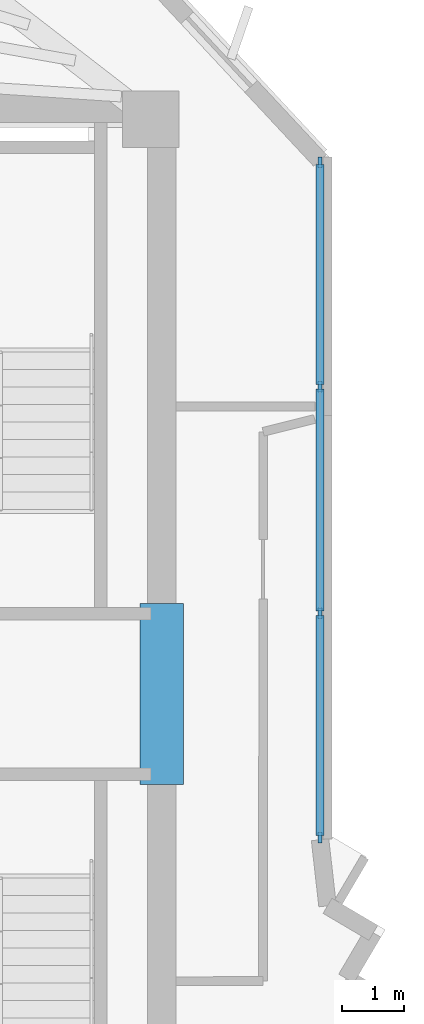
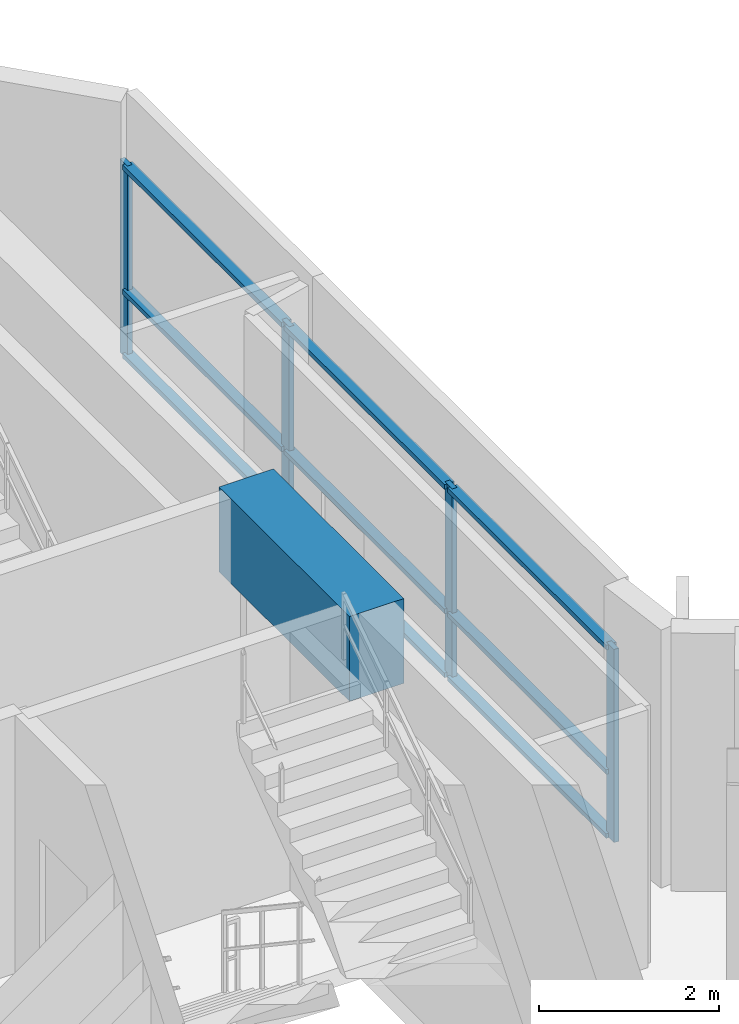
# One storey, part 2 of 10: 13 members, 1 beam, 1 element without a shape of its own.
"""IFC4 building model written with IfcOpenShell, lengths in metres."""

from ifc_helpers import new_model, si_unit, direction, frame, origin, origin_2d, place, context, subcontext, project, spatial, rectangle, extrude, source, transform, mapped, material, layer, layer_set, material_profile, profile_set, type_object, element, aggregate, save


model = new_model("IFC4")

# Units and contexts
model_context = context("Model", 3, precision=1e-05, world=origin(), true_north=direction((0.0, 1.0)))
body_context = subcontext(model_context, "Body", "Model", "MODEL_VIEW")
ifc_project = project(units=[si_unit("LENGTHUNIT", "METRE"), si_unit("AREAUNIT", "SQUARE_METRE"), si_unit("VOLUMEUNIT", "CUBIC_METRE"), si_unit("PLANEANGLEUNIT", "RADIAN"), si_unit("MASSUNIT", "GRAM", prefix="KILO")], contexts=[model_context])

# Site, building, storey
site_placement = place(None, origin())
site = spatial("IfcSite", under=ifc_project, at=site_placement, CompositionType="ELEMENT")
building_placement = place(site_placement, origin())
building = spatial("IfcBuilding", under=site, at=building_placement, Name="Zahravan Cultural Tower", CompositionType="ELEMENT")
storey_placement = place(building_placement, frame((0.0, 0.0, 349.800048828125)))
storey = spatial("IfcBuildingStorey", under=building, at=storey_placement, Name="L85", CompositionType="ELEMENT", Elevation=349.800048828125)

# Beam
ifc_material_1 = material(Name="Concrete C50/60", Category="concrete")
ifc_material_profile_1 = material_profile(ifc_material_1, rectangle(XDim=0.699951171875, YDim=1.14990234375, at=origin_2d()), Name="RC700X1150")
ifc_profile_set_1 = profile_set([ifc_material_profile_1], Name="Concrete C50/60")
beam_type = type_object("IfcBeamType", Name="BM-LN-RC700X1150", PredefinedType="LINTEL", material=ifc_profile_set_1)
shared_shape_1 = source(origin(), body_context, "Body", "SweptSolid", [
    extrude(rectangle(XDim=0.699951171875, YDim=1.14990234375, at=origin_2d()), origin(), (0.0, 0.0, 1.0), 2.89990234375),
])
beam_placement = place(storey_placement, frame((50.52490234375, 25.550048828125, 2.925048828125), z_axis=(0.0, 1.0, 0.0), x_axis=(-1.0, 0.0, 0.0)))
element("IfcBeam", 1, at=beam_placement, inside=storey, type_object=beam_type, Name="L85 Beam LN-L85-PEE", PredefinedType="LINTEL", context=body_context, shape_type="MappedRepresentation", body=[
    mapped(shared_shape_1, transform((0.0, 0.0, 0.0), x_axis=(1.0, 0.0, 0.0), y_axis=(0.0, 1.0, 0.0), z_axis=(0.0, 0.0, 1.0), scale=1.0)),
])

# Curtain wall, members
ifc_material_2 = material(Name="Anodised bronze-aluminium mullion", Category="aluminium")
ifc_layer = layer(ifc_material_2, 0.1650390625)
ifc_layer_set = layer_set([ifc_layer], Name="Anodised bronze-aluminium mullion")
curtain_wall_type = type_object("IfcCurtainWallType", Name="CW-SYS-4", PredefinedType="USERDEFINED", material=ifc_layer_set)
curtain_wall_placement = place(storey_placement, origin())
curtain_wall = element("IfcCurtainWall", 2, at=curtain_wall_placement, inside=storey, type_object=curtain_wall_type, Name="L85 Recessed Curtain Wall CW-4.1", ObjectType="RECESSED GLAZING", PredefinedType="USERDEFINED")
ifc_material_profile_2 = material_profile(ifc_material_2, rectangle(XDim=0.06494140625, YDim=0.1650390625, at=origin_2d()), Name="AL-M65X165")
ifc_profile_set_2 = profile_set([ifc_material_profile_2], Name="Anodised bronze-aluminium mullion")
member_type_1 = type_object("IfcMemberType", Name="CWM-CW-4", PredefinedType="MULLION", material=ifc_profile_set_2)
shared_shape_2 = source(origin(), body_context, "Body", "SweptSolid", [
    extrude(rectangle(XDim=0.06494140625, YDim=0.1650390625, at=origin_2d()), origin(), (0.0, 0.0, 1.0), 2.619873046875),
])
member_1_placement = place(storey_placement, frame((53.06005859375, 35.509521484375, 0.0), z_axis=(0.0, 0.0, 1.0), x_axis=(1.0, 0.0, 0.0)))
member_1 = element("IfcMember", 3, at=member_1_placement, type_object=member_type_1, Name="CW-4 mullion 1", PredefinedType="MULLION", context=body_context, shape_type="MappedRepresentation", body=[
    mapped(shared_shape_2, transform((0.0, 0.0, 0.0), x_axis=(1.0, 0.0, 0.0), y_axis=(0.0, 1.0, 0.0), z_axis=(0.0, 0.0, 1.0), scale=1.0)),
])
member_2_placement = place(storey_placement, frame((53.06005859375, 31.916015625, 0.0), z_axis=(0.0, 0.0, 1.0), x_axis=(1.0, 0.0, 0.0)))
member_2 = element("IfcMember", 4, at=member_2_placement, type_object=member_type_1, Name="CW-4 mullion 2", PredefinedType="MULLION", context=body_context, shape_type="MappedRepresentation", body=[
    mapped(shared_shape_2, transform((0.0, 0.0, 0.0), x_axis=(1.0, 0.0, 0.0), y_axis=(0.0, 1.0, 0.0), z_axis=(0.0, 0.0, 1.0), scale=1.0)),
])
member_3_placement = place(storey_placement, frame((53.06005859375, 28.290283203125, 0.0), z_axis=(0.0, 0.0, 1.0), x_axis=(1.0, 0.0, 0.0)))
member_3 = element("IfcMember", 5, at=member_3_placement, type_object=member_type_1, Name="CW-4 mullion 3", PredefinedType="MULLION", context=body_context, shape_type="MappedRepresentation", body=[
    mapped(shared_shape_2, transform((0.0, 0.0, 0.0), x_axis=(1.0, 0.0, 0.0), y_axis=(0.0, 1.0, 0.0), z_axis=(0.0, 0.0, 1.0), scale=1.0)),
])
member_4_placement = place(storey_placement, frame((53.06005859375, 24.697021484375, 0.0), z_axis=(0.0, 0.0, 1.0), x_axis=(1.0, 0.0, 0.0)))
member_4 = element("IfcMember", 6, at=member_4_placement, type_object=member_type_1, Name="CW-4 mullion 4", PredefinedType="MULLION", context=body_context, shape_type="MappedRepresentation", body=[
    mapped(shared_shape_2, transform((0.0, 0.0, 0.0), x_axis=(1.0, 0.0, 0.0), y_axis=(0.0, 1.0, 0.0), z_axis=(0.0, 0.0, 1.0), scale=1.0)),
])
ifc_material_profile_3 = material_profile(ifc_material_2, rectangle(XDim=0.1298828125, YDim=0.06494140625, at=origin_2d()), Name="AL-T65X130")
ifc_profile_set_3 = profile_set([ifc_material_profile_3], Name="Anodised bronze-aluminium mullion")
member_type_2 = type_object("IfcMemberType", Name="CWT-CW-4", PredefinedType="USERDEFINED", material=ifc_profile_set_3)
shared_shape_3 = source(origin(), body_context, "Body", "SweptSolid", [
    extrude(rectangle(XDim=0.1298828125, YDim=0.06494140625, at=origin_2d()), origin(), (0.0, 0.0, 1.0), 3.5283203125),
])
member_5_placement = place(storey_placement, frame((53.06005859375, 35.47705078125, 0.032470703125), z_axis=(0.0, -1.0, 0.0), x_axis=(1.0, 0.0, 0.0)))
member_5 = element("IfcMember", 7, at=member_5_placement, type_object=member_type_2, Name="CW-4 transom 1.1", ObjectType="TRANSOM", PredefinedType="USERDEFINED", context=body_context, shape_type="MappedRepresentation", body=[
    mapped(shared_shape_3, transform((0.0, 0.0, 0.0), x_axis=(1.0, 0.0, 0.0), y_axis=(0.0, 1.0, 0.0), z_axis=(0.0, 0.0, 1.0), scale=1.0)),
])
member_6_placement = place(storey_placement, frame((53.06005859375, 35.47705078125, 0.89990234375), z_axis=(0.0, -1.0, 0.0), x_axis=(1.0, 0.0, 0.0)))
member_6 = element("IfcMember", 8, at=member_6_placement, type_object=member_type_2, Name="CW-4 transom 1.2", ObjectType="TRANSOM", PredefinedType="USERDEFINED", context=body_context, shape_type="MappedRepresentation", body=[
    mapped(shared_shape_3, transform((0.0, 0.0, 0.0), x_axis=(1.0, 0.0, 0.0), y_axis=(0.0, 1.0, 0.0), z_axis=(0.0, 0.0, 1.0), scale=1.0)),
])
member_7_placement = place(storey_placement, frame((53.06005859375, 35.47705078125, 2.58740234375), z_axis=(0.0, -1.0, 0.0), x_axis=(1.0, 0.0, 0.0)))
member_7 = element("IfcMember", 9, at=member_7_placement, type_object=member_type_2, Name="CW-4 transom 1.3", ObjectType="TRANSOM", PredefinedType="USERDEFINED", context=body_context, shape_type="MappedRepresentation", body=[
    mapped(shared_shape_3, transform((0.0, 0.0, 0.0), x_axis=(1.0, 0.0, 0.0), y_axis=(0.0, 1.0, 0.0), z_axis=(0.0, 0.0, 1.0), scale=1.0)),
])
member_8_placement = place(storey_placement, frame((53.06005859375, 28.2578125, 0.032470703125), z_axis=(0.0, -1.0, 0.0), x_axis=(1.0, 0.0, 0.0)))
member_8 = element("IfcMember", 10, at=member_8_placement, type_object=member_type_2, Name="CW-4 transom 3.1", ObjectType="TRANSOM", PredefinedType="USERDEFINED", context=body_context, shape_type="MappedRepresentation", body=[
    mapped(shared_shape_3, transform((0.0, 0.0, 0.0), x_axis=(1.0, 0.0, 0.0), y_axis=(0.0, 1.0, 0.0), z_axis=(0.0, 0.0, 1.0), scale=1.0)),
])
member_9_placement = place(storey_placement, frame((53.06005859375, 28.2578125, 0.89990234375), z_axis=(0.0, -1.0, 0.0), x_axis=(1.0, 0.0, 0.0)))
member_9 = element("IfcMember", 11, at=member_9_placement, type_object=member_type_2, Name="CW-4 transom 3.2", ObjectType="TRANSOM", PredefinedType="USERDEFINED", context=body_context, shape_type="MappedRepresentation", body=[
    mapped(shared_shape_3, transform((0.0, 0.0, 0.0), x_axis=(1.0, 0.0, 0.0), y_axis=(0.0, 1.0, 0.0), z_axis=(0.0, 0.0, 1.0), scale=1.0)),
])
member_10_placement = place(storey_placement, frame((53.06005859375, 28.2578125, 2.58740234375), z_axis=(0.0, -1.0, 0.0), x_axis=(1.0, 0.0, 0.0)))
member_10 = element("IfcMember", 12, at=member_10_placement, type_object=member_type_2, Name="CW-4 transom 3.3", ObjectType="TRANSOM", PredefinedType="USERDEFINED", context=body_context, shape_type="MappedRepresentation", body=[
    mapped(shared_shape_3, transform((0.0, 0.0, 0.0), x_axis=(1.0, 0.0, 0.0), y_axis=(0.0, 1.0, 0.0), z_axis=(0.0, 0.0, 1.0), scale=1.0)),
])
shared_shape_4 = source(origin(), body_context, "Body", "SweptSolid", [
    extrude(rectangle(XDim=0.1298828125, YDim=0.06494140625, at=origin_2d()), origin(), (0.0, 0.0, 1.0), 3.560791015625),
])
member_11_placement = place(storey_placement, frame((53.06005859375, 31.883544921875, 0.032470703125), z_axis=(0.0, -1.0, 0.0), x_axis=(1.0, 0.0, 0.0)))
member_11 = element("IfcMember", 13, at=member_11_placement, type_object=member_type_2, Name="CW-4 transom 2.1", ObjectType="TRANSOM", PredefinedType="USERDEFINED", context=body_context, shape_type="MappedRepresentation", body=[
    mapped(shared_shape_4, transform((0.0, 0.0, 0.0), x_axis=(1.0, 0.0, 0.0), y_axis=(0.0, 1.0, 0.0), z_axis=(0.0, 0.0, 1.0), scale=1.0)),
])
member_12_placement = place(storey_placement, frame((53.06005859375, 31.883544921875, 0.89990234375), z_axis=(0.0, -1.0, 0.0), x_axis=(1.0, 0.0, 0.0)))
member_12 = element("IfcMember", 14, at=member_12_placement, type_object=member_type_2, Name="CW-4 transom 2.2", ObjectType="TRANSOM", PredefinedType="USERDEFINED", context=body_context, shape_type="MappedRepresentation", body=[
    mapped(shared_shape_4, transform((0.0, 0.0, 0.0), x_axis=(1.0, 0.0, 0.0), y_axis=(0.0, 1.0, 0.0), z_axis=(0.0, 0.0, 1.0), scale=1.0)),
])
member_13_placement = place(storey_placement, frame((53.06005859375, 31.883544921875, 2.58740234375), z_axis=(0.0, -1.0, 0.0), x_axis=(1.0, 0.0, 0.0)))
member_13 = element("IfcMember", 15, at=member_13_placement, type_object=member_type_2, Name="CW-4 transom 2.3", ObjectType="TRANSOM", PredefinedType="USERDEFINED", context=body_context, shape_type="MappedRepresentation", body=[
    mapped(shared_shape_4, transform((0.0, 0.0, 0.0), x_axis=(1.0, 0.0, 0.0), y_axis=(0.0, 1.0, 0.0), z_axis=(0.0, 0.0, 1.0), scale=1.0)),
])
aggregate(curtain_wall, [member_1, member_2, member_3, member_4, member_5, member_6, member_7, member_11, member_12, member_13, member_8, member_9, member_10])

save(model, "model.ifc")
